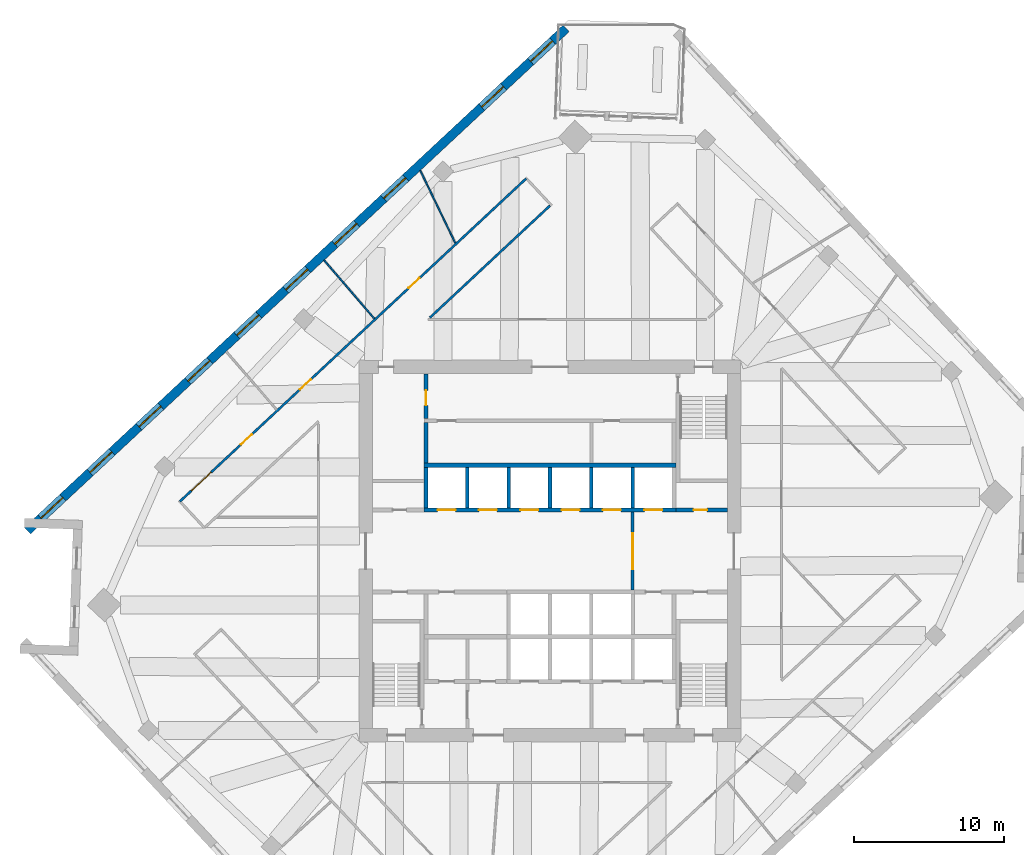
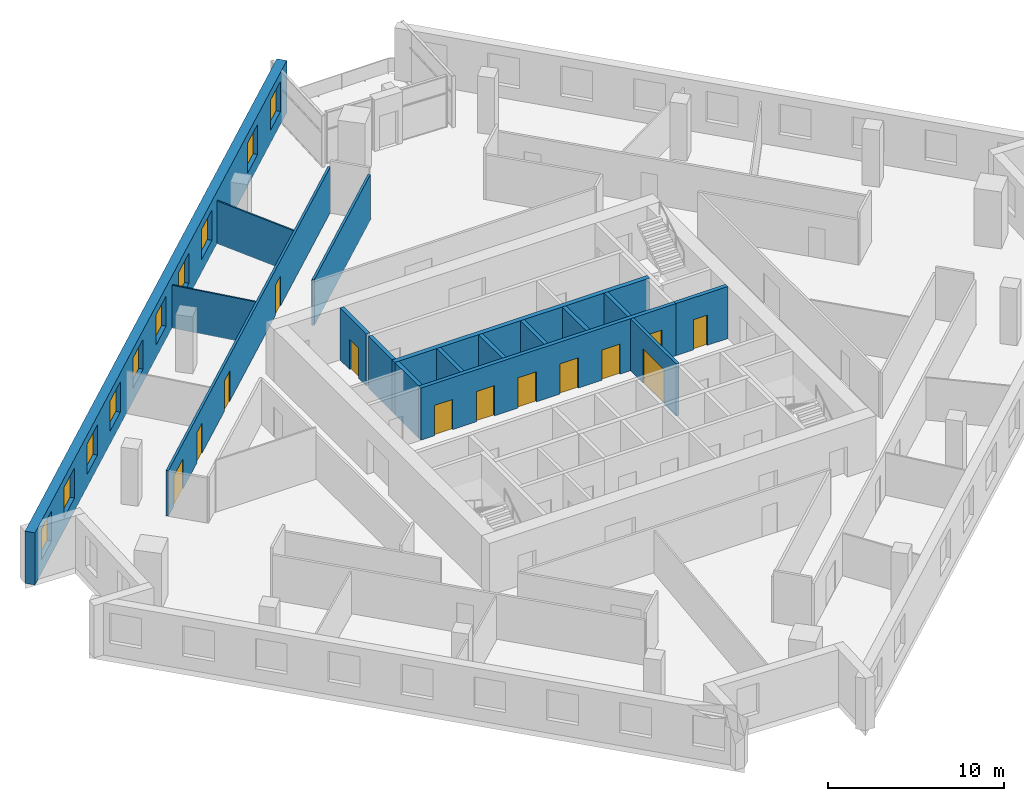
# One storey, part 6 of 10: 17 walls, 13 doors, 10 windows, 23 openings.
"""IFC4 building model written with IfcOpenShell, lengths in metres."""

from ifc_helpers import new_model, si_unit, direction, frame, frame_2d, origin, place, context, subcontext, project, spatial, rectangle, extrude, material, layer, layer_set, type_object, element, fill, save


model = new_model("IFC4")

# Units and contexts
model_context = context("Model", 3, precision=1e-05, world=origin(), true_north=direction((0.0, 1.0)))
body_context = subcontext(model_context, "Body", "Model", "MODEL_VIEW")
ifc_project = project(units=[si_unit("LENGTHUNIT", "METRE"), si_unit("AREAUNIT", "SQUARE_METRE"), si_unit("VOLUMEUNIT", "CUBIC_METRE"), si_unit("PLANEANGLEUNIT", "RADIAN"), si_unit("MASSUNIT", "GRAM", prefix="KILO")], contexts=[model_context])

# Site, building, storey
site_placement = place(None, origin())
site = spatial("IfcSite", under=ifc_project, at=site_placement, CompositionType="ELEMENT")
building_placement = place(site_placement, origin())
building = spatial("IfcBuilding", under=site, at=building_placement, Name="Dilmun Exchange Tower", CompositionType="ELEMENT")
storey_placement = place(building_placement, frame((0.0, 0.0, 201.300048828125)))
storey = spatial("IfcBuildingStorey", under=building, at=storey_placement, Name="L47", CompositionType="ELEMENT", Elevation=201.300048828125)

# Wall, opening, door
ifc_material_1 = material(Name="Concrete C40/50", Category="concrete")
ifc_layer_1 = layer(ifc_material_1, 0.199951171875)
ifc_layer_set_1 = layer_set([ifc_layer_1], Name="Concrete C40/50")
wall_type_1 = type_object("IfcWallType", Name="Core partition wall 200", PredefinedType="PARTITIONING", material=ifc_layer_set_1)
wall_1_placement = place(storey_placement, frame((5.5, -2.594970703125, 0.0), z_axis=(0.0, 0.0, 1.0), x_axis=(0.0, 1.0, 0.0)))
wall_1 = element("IfcWall", 1, at=wall_1_placement, inside=storey, type_object=wall_type_1, Name="L47 core partition wall 11", PredefinedType="PARTITIONING", context=body_context, shape_type="SweptSolid", body=[
    extrude(rectangle(XDim=5.18994140625, YDim=0.199951171875, at=frame_2d((2.594970703125, 0.0))), origin(), (0.0, 0.0, 1.0), 3.619873046875),
])
opening_1_placement = place(wall_1_placement, frame((1.39501953125, 0.0, 0.0)))
opening_1 = element("IfcOpeningElement", 2, at=opening_1_placement, cuts=wall_1, Name="Opening CD1", PredefinedType="OPENING", context=body_context, shape_type="SweptSolid", body=[
    extrude(rectangle(XDim=2.39990234375, YDim=2.39990234375, at=frame_2d((1.199951171875, 1.199951171875))), frame((0.0, 0.10986328125, 0.0), z_axis=(0.0, -1.0, 0.0), x_axis=(1.0, 0.0, 0.0)), (0.0, 0.0, 1.0), 0.219970703125),
])
ifc_material_2 = material(Name="Fire-rated steel door set", Category="steel")
door_type_1 = type_object("IfcDoorType", Name="Core lobby door 2400x2400", OperationType="DOUBLE_DOOR_DOUBLE_SWING", PredefinedType="DOOR", material=ifc_material_2)
door_1_placement = place(opening_1_placement, origin())
door_1 = element("IfcDoor", 3, at=door_1_placement, inside=storey, type_object=door_type_1, Name="L47 door Lift lobby east", OperationType="DOUBLE_DOOR_DOUBLE_SWING", OverallHeight=2.39990234375, OverallWidth=2.39990234375, PredefinedType="DOOR", context=body_context, shape_type="SweptSolid", body=[
    extrude(rectangle(XDim=2.39990234375, YDim=2.39990234375, at=frame_2d((1.199951171875, 1.199951171875))), frame((0.0, 0.02490234375, 0.0), z_axis=(0.0, -1.0, 0.0), x_axis=(1.0, 0.0, 0.0)), (0.0, 0.0, 1.0), 0.050048828125),
])
fill(opening_1, door_1)

ifc_layer_2 = layer(ifc_material_1, 0.25)
ifc_layer_set_2 = layer_set([ifc_layer_2], Name="Concrete C40/50")
wall_type_2 = type_object("IfcWallType", Name="Core partition wall 250", PredefinedType="PARTITIONING", material=ifc_layer_set_2)
wall_2_placement = place(storey_placement, frame((8.3798828125, 2.72509765625, 0.0), z_axis=(0.0, 0.0, 1.0), x_axis=(1.0, 0.0, 0.0)))
wall_2 = element("IfcWall", 4, at=wall_2_placement, inside=storey, type_object=wall_type_2, Name="L47 core partition wall 13", PredefinedType="PARTITIONING", context=body_context, shape_type="SweptSolid", body=[
    extrude(rectangle(XDim=3.4150390625, YDim=0.25, at=frame_2d((1.70751953125, 0.0))), origin(), (0.0, 0.0, 1.0), 3.619873046875),
])
opening_2_placement = place(wall_2_placement, frame((1.169921875, 0.0, 0.0)))
opening_2 = element("IfcOpeningElement", 5, at=opening_2_placement, cuts=wall_2, Name="Opening CD6", PredefinedType="OPENING", context=body_context, shape_type="SweptSolid", body=[
    extrude(rectangle(XDim=0.89990234375, YDim=2.10009765625, at=frame_2d((0.449951171875, 1.050048828125))), frame((0.0, 0.135009765625, 0.0), z_axis=(0.0, -1.0, 0.0), x_axis=(1.0, 0.0, 0.0)), (0.0, 0.0, 1.0), 0.27001953125),
])
door_type_2 = type_object("IfcDoorType", Name="Core room door 900x2100", OperationType="SINGLE_SWING_LEFT", PredefinedType="DOOR", material=ifc_material_2)
door_2_placement = place(opening_2_placement, origin())
door_2 = element("IfcDoor", 6, at=door_2_placement, inside=storey, type_object=door_type_2, Name="L47 door Electrical riser", OperationType="SINGLE_SWING_RIGHT", OverallHeight=2.10009765625, OverallWidth=0.89990234375, PredefinedType="DOOR", context=body_context, shape_type="SweptSolid", body=[
    extrude(rectangle(XDim=0.89990234375, YDim=2.10009765625, at=frame_2d((0.449951171875, 1.050048828125))), frame((0.0, 0.02490234375, 0.0), z_axis=(0.0, -1.0, 0.0), x_axis=(1.0, 0.0, 0.0)), (0.0, 0.0, 1.0), 0.050048828125),
])
fill(opening_2, door_2)

# Wall
wall_3_placement = place(storey_placement, frame((-8.25, 5.85498046875, 0.0), z_axis=(0.0, 0.0, 1.0), x_axis=(0.0, 1.0, 0.0)))
element("IfcWall", 7, at=wall_3_placement, inside=storey, type_object=wall_type_2, Name="L47 core partition wall 15", PredefinedType="PARTITIONING", context=body_context, shape_type="SweptSolid", body=[
    extrude(rectangle(XDim=2.68994140625, YDim=0.25, at=frame_2d((1.344970703125, 0.0))), origin(), (0.0, 0.0, 1.0), 3.619873046875),
])

# Wall, opening, door
wall_4_placement = place(storey_placement, frame((-8.25, 8.804931640625, 0.0), z_axis=(0.0, 0.0, 1.0), x_axis=(0.0, 1.0, 0.0)))
wall_4 = element("IfcWall", 8, at=wall_4_placement, inside=storey, type_object=wall_type_2, Name="L47 core partition wall 19", PredefinedType="PARTITIONING", context=body_context, shape_type="SweptSolid", body=[
    extrude(rectangle(XDim=2.989990234375, YDim=0.25, at=frame_2d((1.4951171875, 0.0))), origin(), (0.0, 0.0, 1.0), 3.619873046875),
])
opening_3_placement = place(wall_4_placement, frame((0.89501953125, 0.0, 0.0)))
opening_3 = element("IfcOpeningElement", 9, at=opening_3_placement, cuts=wall_4, Name="Opening CD4", PredefinedType="OPENING", context=body_context, shape_type="SweptSolid", body=[
    extrude(rectangle(XDim=1.0, YDim=2.10009765625, at=frame_2d((0.5, 1.050048828125))), frame((0.0, 0.135009765625, 0.0), z_axis=(0.0, -1.0, 0.0), x_axis=(1.0, 0.0, 0.0)), (0.0, 0.0, 1.0), 0.27001953125),
])
door_type_3 = type_object("IfcDoorType", Name="Core room door 1000x2100", OperationType="SINGLE_SWING_LEFT", PredefinedType="DOOR", material=ifc_material_2)
door_3_placement = place(opening_3_placement, origin())
door_3 = element("IfcDoor", 10, at=door_3_placement, inside=storey, type_object=door_type_3, Name="L47 door Facilities office", OperationType="SINGLE_SWING_RIGHT", OverallHeight=2.10009765625, OverallWidth=1.0, PredefinedType="DOOR", context=body_context, shape_type="SweptSolid", body=[
    extrude(rectangle(XDim=1.0, YDim=2.10009765625, at=frame_2d((0.5, 1.050048828125))), frame((0.0, 0.02490234375, 0.0), z_axis=(0.0, -1.0, 0.0), x_axis=(1.0, 0.0, 0.0)), (0.0, 0.0, 1.0), 0.050048828125),
])
fill(opening_3, door_3)

# Wall, openings, doors
ifc_material_3 = material(Name="Corridor wall 150")
ifc_layer_3 = layer(ifc_material_3, 0.14990234375)
ifc_layer_set_3 = layer_set([ifc_layer_3], Name="Corridor wall 150")
wall_type_3 = type_object("IfcWallType", Name="Corridor wall 150", PredefinedType="PARTITIONING", material=ifc_layer_set_3)
wall_5_placement = place(storey_placement, frame((-24.623046875, 3.301025390625, 0.0), z_axis=(0.0, 0.0, 1.0), x_axis=(0.731351215564, 0.68200102602, 0.0)))
wall_5 = element("IfcWall", 11, at=wall_5_placement, inside=storey, type_object=wall_type_3, Name="Corridor wall", PredefinedType="PARTITIONING", context=body_context, shape_type="SweptSolid", body=[
    extrude(rectangle(XDim=31.51318359375, YDim=0.14990234375, at=frame_2d((15.756591796875, 0.0))), origin(), (0.0, 0.0, 1.0), 3.169921875),
])
opening_4_placement = place(wall_5_placement, frame((1.05029296875, 0.0, 0.0)))
opening_4 = element("IfcOpeningElement", 12, at=opening_4_placement, cuts=wall_5, Name="Opening TF46-D01", PredefinedType="OPENING", context=body_context, shape_type="SweptSolid", body=[
    extrude(rectangle(XDim=1.800048828125, YDim=2.10009765625, at=frame_2d((0.89990234375, 1.050048828125))), frame((0.0, 0.0849609375, 0.0), z_axis=(0.0, -1.0, 0.0), x_axis=(1.0, 0.0, 0.0)), (0.0, 0.0, 1.0), 0.169921875),
])
opening_5_placement = place(wall_5_placement, frame((5.55029296875, 0.0, 0.0)))
opening_5 = element("IfcOpeningElement", 13, at=opening_5_placement, cuts=wall_5, Name="Opening TF46-D02", PredefinedType="OPENING", context=body_context, shape_type="SweptSolid", body=[
    extrude(rectangle(XDim=1.0, YDim=2.10009765625, at=frame_2d((0.5, 1.050048828125))), frame((0.0, 0.0849609375, 0.0), z_axis=(0.0, -1.0, 0.0), x_axis=(1.0, 0.0, 0.0)), (0.0, 0.0, 1.0), 0.169921875),
])
opening_6_placement = place(wall_5_placement, frame((10.91748046875, 0.0, 0.0)))
opening_6 = element("IfcOpeningElement", 14, at=opening_6_placement, cuts=wall_5, Name="Opening TF46-D05", PredefinedType="OPENING", context=body_context, shape_type="SweptSolid", body=[
    extrude(rectangle(XDim=1.0, YDim=2.10009765625, at=frame_2d((0.5, 1.050048828125))), frame((0.0, 0.0849609375, 0.0), z_axis=(0.0, -1.0, 0.0), x_axis=(1.0, 0.0, 0.0)), (0.0, 0.0, 1.0), 0.169921875),
])
opening_7_placement = place(wall_5_placement, frame((20.8125, 0.0, 0.0)))
opening_7 = element("IfcOpeningElement", 15, at=opening_7_placement, cuts=wall_5, Name="Opening TF46-D06", PredefinedType="OPENING", context=body_context, shape_type="SweptSolid", body=[
    extrude(rectangle(XDim=1.0, YDim=2.10009765625, at=frame_2d((0.5, 1.050048828125))), frame((0.0, 0.0849609375, 0.0), z_axis=(0.0, -1.0, 0.0), x_axis=(1.0, 0.0, 0.0)), (0.0, 0.0, 1.0), 0.169921875),
])
ifc_material_4 = material(Name="Fire door 1000 x 2100")
door_type_4 = type_object("IfcDoorType", Name="Fire door 1000 x 2100", OperationType="NOTDEFINED", PredefinedType="DOOR", material=ifc_material_4)
door_4_placement = place(opening_5_placement, origin())
door_4 = element("IfcDoor", 16, at=door_4_placement, inside=storey, type_object=door_type_4, Name="Door TF46-D02", OperationType="SINGLE_SWING_LEFT", OverallHeight=2.10009765625, OverallWidth=1.0, PredefinedType="DOOR", context=body_context, shape_type="SweptSolid", body=[
    extrude(rectangle(XDim=1.0, YDim=2.10009765625, at=frame_2d((0.5, 1.050048828125))), frame((0.0, 0.02490234375, 0.0), z_axis=(0.0, -1.0, 0.0), x_axis=(1.0, 0.0, 0.0)), (0.0, 0.0, 1.0), 0.050048828125),
])
fill(opening_5, door_4)
door_5_placement = place(opening_6_placement, origin())
door_5 = element("IfcDoor", 17, at=door_5_placement, inside=storey, type_object=door_type_4, Name="Door TF46-D05", OperationType="SINGLE_SWING_RIGHT", OverallHeight=2.10009765625, OverallWidth=1.0, PredefinedType="DOOR", context=body_context, shape_type="SweptSolid", body=[
    extrude(rectangle(XDim=1.0, YDim=2.10009765625, at=frame_2d((0.5, 1.050048828125))), frame((0.0, 0.02490234375, 0.0), z_axis=(0.0, -1.0, 0.0), x_axis=(1.0, 0.0, 0.0)), (0.0, 0.0, 1.0), 0.050048828125),
])
fill(opening_6, door_5)
door_6_placement = place(opening_7_placement, origin())
door_6 = element("IfcDoor", 18, at=door_6_placement, inside=storey, type_object=door_type_4, Name="Door TF46-D06", OperationType="SINGLE_SWING_LEFT", OverallHeight=2.10009765625, OverallWidth=1.0, PredefinedType="DOOR", context=body_context, shape_type="SweptSolid", body=[
    extrude(rectangle(XDim=1.0, YDim=2.10009765625, at=frame_2d((0.5, 1.050048828125))), frame((0.0, 0.02490234375, 0.0), z_axis=(0.0, -1.0, 0.0), x_axis=(1.0, 0.0, 0.0)), (0.0, 0.0, 1.0), 0.050048828125),
])
fill(opening_7, door_6)
ifc_material_5 = material(Name="Fire door pair 1800 x 2100")
door_type_5 = type_object("IfcDoorType", Name="Fire door pair 1800 x 2100", OperationType="NOTDEFINED", PredefinedType="DOOR", material=ifc_material_5)
door_7_placement = place(opening_4_placement, origin())
door_7 = element("IfcDoor", 19, at=door_7_placement, inside=storey, type_object=door_type_5, Name="Door TF46-D01", OperationType="DOUBLE_DOOR_SINGLE_SWING", OverallHeight=2.10009765625, OverallWidth=1.800048828125, PredefinedType="DOOR", context=body_context, shape_type="SweptSolid", body=[
    extrude(rectangle(XDim=1.800048828125, YDim=2.10009765625, at=frame_2d((0.89990234375, 1.050048828125))), frame((0.0, 0.02490234375, 0.0), z_axis=(0.0, -1.0, 0.0), x_axis=(1.0, 0.0, 0.0)), (0.0, 0.0, 1.0), 0.050048828125),
])
fill(opening_4, door_7)

# Walls
wall_6_placement = place(storey_placement, frame((-7.98974609375, 15.52978515625, 0.0), z_axis=(0.0, 0.0, 1.0), x_axis=(0.731318077891, 0.682036559834, 0.0)))
element("IfcWall", 20, at=wall_6_placement, inside=storey, type_object=wall_type_3, Name="Corridor wall", PredefinedType="PARTITIONING", context=body_context, shape_type="SweptSolid", body=[
    extrude(rectangle(XDim=10.93359375, YDim=0.14990234375, at=frame_2d((5.466796875, 0.0))), origin(), (0.0, 0.0, 1.0), 3.169921875),
])
ifc_layer_4 = layer(ifc_material_1, 0.300048828125)
ifc_layer_set_4 = layer_set([ifc_layer_4], Name="Concrete C40/50")
wall_type_4 = type_object("IfcWallType", Name="Lift shaft shared wall 300", PredefinedType="SOLIDWALL", material=ifc_layer_set_4)
wall_7_placement = place(storey_placement, frame((-8.375, 5.699951171875, 0.0), z_axis=(0.0, 0.0, 1.0), x_axis=(1.0, 0.0, 0.0)))
element("IfcWall", 21, at=wall_7_placement, inside=storey, type_object=wall_type_4, Name="L47 lift shaft rear wall N", PredefinedType="SOLIDWALL", context=body_context, shape_type="SweptSolid", body=[
    extrude(rectangle(XDim=16.75, YDim=0.300048828125, at=frame_2d((8.375, 0.0))), origin(), (0.0, 0.0, 1.0), 3.619873046875),
])

# Wall, openings, doors
ifc_layer_5 = layer(ifc_material_1, 0.25)
ifc_layer_set_5 = layer_set([ifc_layer_5], Name="Concrete C40/50")
wall_type_5 = type_object("IfcWallType", Name="Lift shaft wall 250", PredefinedType="SOLIDWALL", material=ifc_layer_set_5)
wall_8_placement = place(storey_placement, frame((-8.375, 2.72509765625, 0.0), z_axis=(0.0, 0.0, 1.0), x_axis=(1.0, 0.0, 0.0)))
wall_8 = element("IfcWall", 22, at=wall_8_placement, inside=storey, type_object=wall_type_5, Name="L47 lift shaft front wall N1", PredefinedType="SOLIDWALL", context=body_context, shape_type="SweptSolid", body=[
    extrude(rectangle(XDim=16.75, YDim=0.25, at=frame_2d((8.375, 0.0))), origin(), (0.0, 0.0, 1.0), 3.619873046875),
])
opening_8_placement = place(wall_8_placement, frame((0.89990234375, 0.0, 0.0)))
opening_8 = element("IfcOpeningElement", 23, at=opening_8_placement, cuts=wall_8, Name="Opening LD", PredefinedType="OPENING", context=body_context, shape_type="SweptSolid", body=[
    extrude(rectangle(XDim=1.199951171875, YDim=2.10009765625, at=frame_2d((0.60009765625, 1.050048828125))), frame((0.0, 0.135009765625, 0.0), z_axis=(0.0, -1.0, 0.0), x_axis=(1.0, 0.0, 0.0)), (0.0, 0.0, 1.0), 0.27001953125),
])
opening_9_placement = place(wall_8_placement, frame((3.64990234375, 0.0, 0.0)))
opening_9 = element("IfcOpeningElement", 24, at=opening_9_placement, cuts=wall_8, Name="Opening LD", PredefinedType="OPENING", context=body_context, shape_type="SweptSolid", body=[
    extrude(rectangle(XDim=1.199951171875, YDim=2.10009765625, at=frame_2d((0.60009765625, 1.050048828125))), frame((0.0, 0.135009765625, 0.0), z_axis=(0.0, -1.0, 0.0), x_axis=(1.0, 0.0, 0.0)), (0.0, 0.0, 1.0), 0.27001953125),
])
opening_10_placement = place(wall_8_placement, frame((6.39990234375, 0.0, 0.0)))
opening_10 = element("IfcOpeningElement", 25, at=opening_10_placement, cuts=wall_8, Name="Opening LD", PredefinedType="OPENING", context=body_context, shape_type="SweptSolid", body=[
    extrude(rectangle(XDim=1.199951171875, YDim=2.10009765625, at=frame_2d((0.60009765625, 1.050048828125))), frame((0.0, 0.135009765625, 0.0), z_axis=(0.0, -1.0, 0.0), x_axis=(1.0, 0.0, 0.0)), (0.0, 0.0, 1.0), 0.27001953125),
])
opening_11_placement = place(wall_8_placement, frame((9.14990234375, 0.0, 0.0)))
opening_11 = element("IfcOpeningElement", 26, at=opening_11_placement, cuts=wall_8, Name="Opening LD", PredefinedType="OPENING", context=body_context, shape_type="SweptSolid", body=[
    extrude(rectangle(XDim=1.199951171875, YDim=2.10009765625, at=frame_2d((0.60009765625, 1.050048828125))), frame((0.0, 0.135009765625, 0.0), z_axis=(0.0, -1.0, 0.0), x_axis=(1.0, 0.0, 0.0)), (0.0, 0.0, 1.0), 0.27001953125),
])
opening_12_placement = place(wall_8_placement, frame((11.89990234375, 0.0, 0.0)))
opening_12 = element("IfcOpeningElement", 27, at=opening_12_placement, cuts=wall_8, Name="Opening LD", PredefinedType="OPENING", context=body_context, shape_type="SweptSolid", body=[
    extrude(rectangle(XDim=1.199951171875, YDim=2.10009765625, at=frame_2d((0.60009765625, 1.050048828125))), frame((0.0, 0.135009765625, 0.0), z_axis=(0.0, -1.0, 0.0), x_axis=(1.0, 0.0, 0.0)), (0.0, 0.0, 1.0), 0.27001953125),
])
opening_13_placement = place(wall_8_placement, frame((14.64990234375, 0.0, 0.0)))
opening_13 = element("IfcOpeningElement", 28, at=opening_13_placement, cuts=wall_8, Name="Opening LD", PredefinedType="OPENING", context=body_context, shape_type="SweptSolid", body=[
    extrude(rectangle(XDim=1.199951171875, YDim=2.10009765625, at=frame_2d((0.60009765625, 1.050048828125))), frame((0.0, 0.135009765625, 0.0), z_axis=(0.0, -1.0, 0.0), x_axis=(1.0, 0.0, 0.0)), (0.0, 0.0, 1.0), 0.27001953125),
])
door_type_6 = type_object("IfcDoorType", Name="Lift landing door 1200x2100", OperationType="DOUBLE_DOOR_SLIDING", PredefinedType="DOOR", material=ifc_material_2)
door_8_placement = place(opening_8_placement, origin())
door_8 = element("IfcDoor", 29, at=door_8_placement, inside=storey, type_object=door_type_6, Name="L47 landing door MR1", OperationType="DOUBLE_DOOR_SLIDING", OverallHeight=2.10009765625, OverallWidth=1.199951171875, PredefinedType="DOOR", context=body_context, shape_type="SweptSolid", body=[
    extrude(rectangle(XDim=1.199951171875, YDim=2.10009765625, at=frame_2d((0.60009765625, 1.050048828125))), frame((0.0, 0.02490234375, 0.0), z_axis=(0.0, -1.0, 0.0), x_axis=(1.0, 0.0, 0.0)), (0.0, 0.0, 1.0), 0.050048828125),
])
fill(opening_8, door_8)
door_9_placement = place(opening_9_placement, origin())
door_9 = element("IfcDoor", 30, at=door_9_placement, inside=storey, type_object=door_type_6, Name="L47 landing door MR2", OperationType="DOUBLE_DOOR_SLIDING", OverallHeight=2.10009765625, OverallWidth=1.199951171875, PredefinedType="DOOR", context=body_context, shape_type="SweptSolid", body=[
    extrude(rectangle(XDim=1.199951171875, YDim=2.10009765625, at=frame_2d((0.60009765625, 1.050048828125))), frame((0.0, 0.02490234375, 0.0), z_axis=(0.0, -1.0, 0.0), x_axis=(1.0, 0.0, 0.0)), (0.0, 0.0, 1.0), 0.050048828125),
])
fill(opening_9, door_9)
door_10_placement = place(opening_10_placement, origin())
door_10 = element("IfcDoor", 31, at=door_10_placement, inside=storey, type_object=door_type_6, Name="L47 landing door MR3", OperationType="DOUBLE_DOOR_SLIDING", OverallHeight=2.10009765625, OverallWidth=1.199951171875, PredefinedType="DOOR", context=body_context, shape_type="SweptSolid", body=[
    extrude(rectangle(XDim=1.199951171875, YDim=2.10009765625, at=frame_2d((0.60009765625, 1.050048828125))), frame((0.0, 0.02490234375, 0.0), z_axis=(0.0, -1.0, 0.0), x_axis=(1.0, 0.0, 0.0)), (0.0, 0.0, 1.0), 0.050048828125),
])
fill(opening_10, door_10)
door_11_placement = place(opening_11_placement, origin())
door_11 = element("IfcDoor", 32, at=door_11_placement, inside=storey, type_object=door_type_6, Name="L47 landing door MR4", OperationType="DOUBLE_DOOR_SLIDING", OverallHeight=2.10009765625, OverallWidth=1.199951171875, PredefinedType="DOOR", context=body_context, shape_type="SweptSolid", body=[
    extrude(rectangle(XDim=1.199951171875, YDim=2.10009765625, at=frame_2d((0.60009765625, 1.050048828125))), frame((0.0, 0.02490234375, 0.0), z_axis=(0.0, -1.0, 0.0), x_axis=(1.0, 0.0, 0.0)), (0.0, 0.0, 1.0), 0.050048828125),
])
fill(opening_11, door_11)
door_12_placement = place(opening_12_placement, origin())
door_12 = element("IfcDoor", 33, at=door_12_placement, inside=storey, type_object=door_type_6, Name="L47 landing door MR5", OperationType="DOUBLE_DOOR_SLIDING", OverallHeight=2.10009765625, OverallWidth=1.199951171875, PredefinedType="DOOR", context=body_context, shape_type="SweptSolid", body=[
    extrude(rectangle(XDim=1.199951171875, YDim=2.10009765625, at=frame_2d((0.60009765625, 1.050048828125))), frame((0.0, 0.02490234375, 0.0), z_axis=(0.0, -1.0, 0.0), x_axis=(1.0, 0.0, 0.0)), (0.0, 0.0, 1.0), 0.050048828125),
])
fill(opening_12, door_12)
door_13_placement = place(opening_13_placement, origin())
door_13 = element("IfcDoor", 34, at=door_13_placement, inside=storey, type_object=door_type_6, Name="L47 landing door MR6", OperationType="DOUBLE_DOOR_SLIDING", OverallHeight=2.10009765625, OverallWidth=1.199951171875, PredefinedType="DOOR", context=body_context, shape_type="SweptSolid", body=[
    extrude(rectangle(XDim=1.199951171875, YDim=2.10009765625, at=frame_2d((0.60009765625, 1.050048828125))), frame((0.0, 0.02490234375, 0.0), z_axis=(0.0, -1.0, 0.0), x_axis=(1.0, 0.0, 0.0)), (0.0, 0.0, 1.0), 0.050048828125),
])
fill(opening_13, door_13)

# Walls
for number, where, z_axis, x_axis, name in (
    (35, (-8.25, 2.85009765625, 0.0), (0.0, 0.0, 1.0), (0.0, 1.0, 0.0), "L47 lift shaft divider N10"),
    (36, (-5.5, 2.85009765625, 0.0), (0.0, 0.0, 1.0), (0.0, 1.0, 0.0), "L47 lift shaft divider N11"),
    (37, (-2.75, 2.85009765625, 0.0), (0.0, 0.0, 1.0), (0.0, 1.0, 0.0), "L47 lift shaft divider N12"),
    (38, (0.0, 2.85009765625, 0.0), (0.0, 0.0, 1.0), (0.0, 1.0, 0.0), "L47 lift shaft divider N13"),
    (39, (2.75, 2.85009765625, 0.0), (0.0, 0.0, 1.0), (0.0, 1.0, 0.0), "L47 lift shaft divider N14"),
    (40, (5.5, 2.85009765625, 0.0), (0.0, 0.0, 1.0), (0.0, 1.0, 0.0), "L47 lift shaft divider N15"),
):
    element("IfcWall", number, at=place(storey_placement, frame(where, z_axis=z_axis, x_axis=x_axis)), inside=storey, type_object=wall_type_5, Name=name, PredefinedType="SOLIDWALL", context=body_context, shape_type="SweptSolid", body=[
        extrude(rectangle(XDim=2.699951171875, YDim=0.25, at=frame_2d((1.35009765625, 0.0))), origin(), (0.0, 0.0, 1.0), 3.619873046875),
    ])
ifc_material_6 = material(Name="Partition 100")
ifc_layer_6 = layer(ifc_material_6, 0.10009765625)
ifc_layer_set_6 = layer_set([ifc_layer_6], Name="Partition 100")
wall_type_6 = type_object("IfcWallType", Name="Partition 100", PredefinedType="PARTITIONING", material=ifc_layer_set_6)
wall_9_placement = place(storey_placement, frame((-15.027099609375, 19.346923828125, 0.0), z_axis=(0.0, 0.0, 1.0), x_axis=(0.653552799086, -0.75688092776, 0.0)))
element("IfcWall", 41, at=wall_9_placement, inside=storey, type_object=wall_type_6, Name="Partition", PredefinedType="PARTITIONING", context=body_context, shape_type="SweptSolid", body=[
    extrude(rectangle(XDim=5.11767578125, YDim=0.10009765625, at=frame_2d((2.558837890625, 0.0))), origin(), (0.0, 0.0, 1.0), 2.969970703125),
])
wall_10_placement = place(storey_placement, frame((-8.627685546875, 25.314697265625, 0.0), z_axis=(0.0, 0.0, 1.0), x_axis=(0.435360143591, -0.900256377579, 0.0)))
element("IfcWall", 42, at=wall_10_placement, inside=storey, type_object=wall_type_6, Name="Partition", PredefinedType="PARTITIONING", context=body_context, shape_type="SweptSolid", body=[
    extrude(rectangle(XDim=5.33984375, YDim=0.10009765625, at=frame_2d((2.669921875, 0.0))), origin(), (0.0, 0.0, 1.0), 2.969970703125),
])

# Wall, openings, windows
ifc_material_7 = material(Name="Precast concrete C50/60", Category="concrete")
ifc_layer_7 = layer(ifc_material_7, 0.60009765625)
ifc_layer_set_7 = layer_set([ifc_layer_7], Name="Precast concrete C50/60")
wall_type_7 = type_object("IfcWallType", Name="Precast stone-clad wall 600", PredefinedType="STANDARD", material=ifc_layer_set_7)
wall_11_placement = place(storey_placement, frame((1.07275390625, 34.7734375, 0.0), z_axis=(0.0, 0.0, 1.0), x_axis=(-0.731351780381, -0.682000420333, 0.0)))
wall_11 = element("IfcWall", 43, at=wall_11_placement, inside=storey, type_object=wall_type_7, Name="Facade wall L47-03", PredefinedType="STANDARD", context=body_context, shape_type="SweptSolid", body=[
    extrude(rectangle(XDim=49.0, YDim=0.60009765625, at=frame_2d((24.5, 0.0))), origin(), (0.0, 0.0, 1.0), 3.619873046875),
])
opening_14_placement = place(wall_11_placement, frame((1.227294921875, 0.0, 0.89990234375)))
opening_14 = element("IfcOpeningElement", 44, at=opening_14_placement, cuts=wall_11, Name="Opening W200-210", PredefinedType="OPENING", context=body_context, shape_type="SweptSolid", body=[
    extrude(rectangle(XDim=2.0, YDim=2.10009765625, at=frame_2d((1.0, 1.050048828125))), frame((0.0, 0.31005859375, 0.0), z_axis=(0.0, -1.0, 0.0), x_axis=(1.0, 0.0, 0.0)), (0.0, 0.0, 1.0), 0.6201171875),
])
opening_15_placement = place(wall_11_placement, frame((5.681884765625, 0.0, 0.89990234375)))
opening_15 = element("IfcOpeningElement", 45, at=opening_15_placement, cuts=wall_11, Name="Opening W200-210", PredefinedType="OPENING", context=body_context, shape_type="SweptSolid", body=[
    extrude(rectangle(XDim=2.0, YDim=2.10009765625, at=frame_2d((1.0, 1.050048828125))), frame((0.0, 0.31005859375, 0.0), z_axis=(0.0, -1.0, 0.0), x_axis=(1.0, 0.0, 0.0)), (0.0, 0.0, 1.0), 0.6201171875),
])
opening_16_placement = place(wall_11_placement, frame((14.5908203125, 0.0, 0.89990234375)))
opening_16 = element("IfcOpeningElement", 46, at=opening_16_placement, cuts=wall_11, Name="Opening W200-210", PredefinedType="OPENING", context=body_context, shape_type="SweptSolid", body=[
    extrude(rectangle(XDim=2.0, YDim=2.10009765625, at=frame_2d((1.0, 1.050048828125))), frame((0.0, 0.31005859375, 0.0), z_axis=(0.0, -1.0, 0.0), x_axis=(1.0, 0.0, 0.0)), (0.0, 0.0, 1.0), 0.6201171875),
])
opening_17_placement = place(wall_11_placement, frame((19.04541015625, 0.0, 0.89990234375)))
opening_17 = element("IfcOpeningElement", 47, at=opening_17_placement, cuts=wall_11, Name="Opening W200-210", PredefinedType="OPENING", context=body_context, shape_type="SweptSolid", body=[
    extrude(rectangle(XDim=2.0, YDim=2.10009765625, at=frame_2d((1.0, 1.050048828125))), frame((0.0, 0.31005859375, 0.0), z_axis=(0.0, -1.0, 0.0), x_axis=(1.0, 0.0, 0.0)), (0.0, 0.0, 1.0), 0.6201171875),
])
opening_18_placement = place(wall_11_placement, frame((23.5, 0.0, 0.89990234375)))
opening_18 = element("IfcOpeningElement", 48, at=opening_18_placement, cuts=wall_11, Name="Opening W200-210", PredefinedType="OPENING", context=body_context, shape_type="SweptSolid", body=[
    extrude(rectangle(XDim=2.0, YDim=2.10009765625, at=frame_2d((1.0, 1.050048828125))), frame((0.0, 0.31005859375, 0.0), z_axis=(0.0, -1.0, 0.0), x_axis=(1.0, 0.0, 0.0)), (0.0, 0.0, 1.0), 0.6201171875),
])
opening_19_placement = place(wall_11_placement, frame((27.95458984375, 0.0, 0.89990234375)))
opening_19 = element("IfcOpeningElement", 49, at=opening_19_placement, cuts=wall_11, Name="Opening W200-210", PredefinedType="OPENING", context=body_context, shape_type="SweptSolid", body=[
    extrude(rectangle(XDim=2.0, YDim=2.10009765625, at=frame_2d((1.0, 1.050048828125))), frame((0.0, 0.31005859375, 0.0), z_axis=(0.0, -1.0, 0.0), x_axis=(1.0, 0.0, 0.0)), (0.0, 0.0, 1.0), 0.6201171875),
])
opening_20_placement = place(wall_11_placement, frame((32.4091796875, 0.0, 0.89990234375)))
opening_20 = element("IfcOpeningElement", 50, at=opening_20_placement, cuts=wall_11, Name="Opening W200-210", PredefinedType="OPENING", context=body_context, shape_type="SweptSolid", body=[
    extrude(rectangle(XDim=2.0, YDim=2.10009765625, at=frame_2d((1.0, 1.050048828125))), frame((0.0, 0.31005859375, 0.0), z_axis=(0.0, -1.0, 0.0), x_axis=(1.0, 0.0, 0.0)), (0.0, 0.0, 1.0), 0.6201171875),
])
opening_21_placement = place(wall_11_placement, frame((36.863525390625, 0.0, 0.89990234375)))
opening_21 = element("IfcOpeningElement", 51, at=opening_21_placement, cuts=wall_11, Name="Opening W200-210", PredefinedType="OPENING", context=body_context, shape_type="SweptSolid", body=[
    extrude(rectangle(XDim=2.0, YDim=2.10009765625, at=frame_2d((1.0, 1.050048828125))), frame((0.0, 0.31005859375, 0.0), z_axis=(0.0, -1.0, 0.0), x_axis=(1.0, 0.0, 0.0)), (0.0, 0.0, 1.0), 0.6201171875),
])
opening_22_placement = place(wall_11_placement, frame((41.318115234375, 0.0, 0.89990234375)))
opening_22 = element("IfcOpeningElement", 52, at=opening_22_placement, cuts=wall_11, Name="Opening W200-210", PredefinedType="OPENING", context=body_context, shape_type="SweptSolid", body=[
    extrude(rectangle(XDim=2.0, YDim=2.10009765625, at=frame_2d((1.0, 1.050048828125))), frame((0.0, 0.31005859375, 0.0), z_axis=(0.0, -1.0, 0.0), x_axis=(1.0, 0.0, 0.0)), (0.0, 0.0, 1.0), 0.6201171875),
])
opening_23_placement = place(wall_11_placement, frame((45.772705078125, 0.0, 0.89990234375)))
opening_23 = element("IfcOpeningElement", 53, at=opening_23_placement, cuts=wall_11, Name="Opening W200-210", PredefinedType="OPENING", context=body_context, shape_type="SweptSolid", body=[
    extrude(rectangle(XDim=2.0, YDim=2.10009765625, at=frame_2d((1.0, 1.050048828125))), frame((0.0, 0.31005859375, 0.0), z_axis=(0.0, -1.0, 0.0), x_axis=(1.0, 0.0, 0.0)), (0.0, 0.0, 1.0), 0.6201171875),
])
ifc_material_8 = material(Name="Clear low-emissivity glass in aluminium frame", Category="aluminium")
window_type = type_object("IfcWindowType", Name="Punched window 2000 x 2100", PartitioningType="DOUBLE_PANEL_VERTICAL", PredefinedType="WINDOW", material=ifc_material_8)
window_1_placement = place(opening_14_placement, origin())
window_1 = element("IfcWindow", 54, at=window_1_placement, inside=storey, type_object=window_type, Name="Window 4.1", OverallHeight=2.10009765625, OverallWidth=2.0, PartitioningType="SINGLE_PANEL", PredefinedType="WINDOW", context=body_context, shape_type="SweptSolid", body=[
    extrude(rectangle(XDim=2.0, YDim=2.10009765625, at=frame_2d((1.0, 1.050048828125))), frame((0.0, 0.030029296875, 0.0), z_axis=(0.0, -1.0, 0.0), x_axis=(1.0, 0.0, 0.0)), (0.0, 0.0, 1.0), 0.06005859375),
])
fill(opening_14, window_1)
window_2_placement = place(opening_15_placement, origin())
window_2 = element("IfcWindow", 55, at=window_2_placement, inside=storey, type_object=window_type, Name="Window 4.2", OverallHeight=2.10009765625, OverallWidth=2.0, PartitioningType="SINGLE_PANEL", PredefinedType="WINDOW", context=body_context, shape_type="SweptSolid", body=[
    extrude(rectangle(XDim=2.0, YDim=2.10009765625, at=frame_2d((1.0, 1.050048828125))), frame((0.0, 0.030029296875, 0.0), z_axis=(0.0, -1.0, 0.0), x_axis=(1.0, 0.0, 0.0)), (0.0, 0.0, 1.0), 0.06005859375),
])
fill(opening_15, window_2)
window_3_placement = place(opening_16_placement, origin())
window_3 = element("IfcWindow", 56, at=window_3_placement, inside=storey, type_object=window_type, Name="Window 4.4", OverallHeight=2.10009765625, OverallWidth=2.0, PartitioningType="SINGLE_PANEL", PredefinedType="WINDOW", context=body_context, shape_type="SweptSolid", body=[
    extrude(rectangle(XDim=2.0, YDim=2.10009765625, at=frame_2d((1.0, 1.050048828125))), frame((0.0, 0.030029296875, 0.0), z_axis=(0.0, -1.0, 0.0), x_axis=(1.0, 0.0, 0.0)), (0.0, 0.0, 1.0), 0.06005859375),
])
fill(opening_16, window_3)
window_4_placement = place(opening_17_placement, origin())
window_4 = element("IfcWindow", 57, at=window_4_placement, inside=storey, type_object=window_type, Name="Window 4.5", OverallHeight=2.10009765625, OverallWidth=2.0, PartitioningType="SINGLE_PANEL", PredefinedType="WINDOW", context=body_context, shape_type="SweptSolid", body=[
    extrude(rectangle(XDim=2.0, YDim=2.10009765625, at=frame_2d((1.0, 1.050048828125))), frame((0.0, 0.030029296875, 0.0), z_axis=(0.0, -1.0, 0.0), x_axis=(1.0, 0.0, 0.0)), (0.0, 0.0, 1.0), 0.06005859375),
])
fill(opening_17, window_4)
window_5_placement = place(opening_18_placement, origin())
window_5 = element("IfcWindow", 58, at=window_5_placement, inside=storey, type_object=window_type, Name="Window 4.6", OverallHeight=2.10009765625, OverallWidth=2.0, PartitioningType="SINGLE_PANEL", PredefinedType="WINDOW", context=body_context, shape_type="SweptSolid", body=[
    extrude(rectangle(XDim=2.0, YDim=2.10009765625, at=frame_2d((1.0, 1.050048828125))), frame((0.0, 0.030029296875, 0.0), z_axis=(0.0, -1.0, 0.0), x_axis=(1.0, 0.0, 0.0)), (0.0, 0.0, 1.0), 0.06005859375),
])
fill(opening_18, window_5)
window_6_placement = place(opening_19_placement, origin())
window_6 = element("IfcWindow", 59, at=window_6_placement, inside=storey, type_object=window_type, Name="Window 4.7", OverallHeight=2.10009765625, OverallWidth=2.0, PartitioningType="SINGLE_PANEL", PredefinedType="WINDOW", context=body_context, shape_type="SweptSolid", body=[
    extrude(rectangle(XDim=2.0, YDim=2.10009765625, at=frame_2d((1.0, 1.050048828125))), frame((0.0, 0.030029296875, 0.0), z_axis=(0.0, -1.0, 0.0), x_axis=(1.0, 0.0, 0.0)), (0.0, 0.0, 1.0), 0.06005859375),
])
fill(opening_19, window_6)
window_7_placement = place(opening_20_placement, origin())
window_7 = element("IfcWindow", 60, at=window_7_placement, inside=storey, type_object=window_type, Name="Window 4.8", OverallHeight=2.10009765625, OverallWidth=2.0, PartitioningType="SINGLE_PANEL", PredefinedType="WINDOW", context=body_context, shape_type="SweptSolid", body=[
    extrude(rectangle(XDim=2.0, YDim=2.10009765625, at=frame_2d((1.0, 1.050048828125))), frame((0.0, 0.030029296875, 0.0), z_axis=(0.0, -1.0, 0.0), x_axis=(1.0, 0.0, 0.0)), (0.0, 0.0, 1.0), 0.06005859375),
])
fill(opening_20, window_7)
window_8_placement = place(opening_21_placement, origin())
window_8 = element("IfcWindow", 61, at=window_8_placement, inside=storey, type_object=window_type, Name="Window 4.9", OverallHeight=2.10009765625, OverallWidth=2.0, PartitioningType="SINGLE_PANEL", PredefinedType="WINDOW", context=body_context, shape_type="SweptSolid", body=[
    extrude(rectangle(XDim=2.0, YDim=2.10009765625, at=frame_2d((1.0, 1.050048828125))), frame((0.0, 0.030029296875, 0.0), z_axis=(0.0, -1.0, 0.0), x_axis=(1.0, 0.0, 0.0)), (0.0, 0.0, 1.0), 0.06005859375),
])
fill(opening_21, window_8)
window_9_placement = place(opening_22_placement, origin())
window_9 = element("IfcWindow", 62, at=window_9_placement, inside=storey, type_object=window_type, Name="Window 4.10", OverallHeight=2.10009765625, OverallWidth=2.0, PartitioningType="SINGLE_PANEL", PredefinedType="WINDOW", context=body_context, shape_type="SweptSolid", body=[
    extrude(rectangle(XDim=2.0, YDim=2.10009765625, at=frame_2d((1.0, 1.050048828125))), frame((0.0, 0.030029296875, 0.0), z_axis=(0.0, -1.0, 0.0), x_axis=(1.0, 0.0, 0.0)), (0.0, 0.0, 1.0), 0.06005859375),
])
fill(opening_22, window_9)
window_10_placement = place(opening_23_placement, origin())
window_10 = element("IfcWindow", 63, at=window_10_placement, inside=storey, type_object=window_type, Name="Window 4.11", OverallHeight=2.10009765625, OverallWidth=2.0, PartitioningType="SINGLE_PANEL", PredefinedType="WINDOW", context=body_context, shape_type="SweptSolid", body=[
    extrude(rectangle(XDim=2.0, YDim=2.10009765625, at=frame_2d((1.0, 1.050048828125))), frame((0.0, 0.030029296875, 0.0), z_axis=(0.0, -1.0, 0.0), x_axis=(1.0, 0.0, 0.0)), (0.0, 0.0, 1.0), 0.06005859375),
])
fill(opening_23, window_10)

save(model, "model.ifc")
